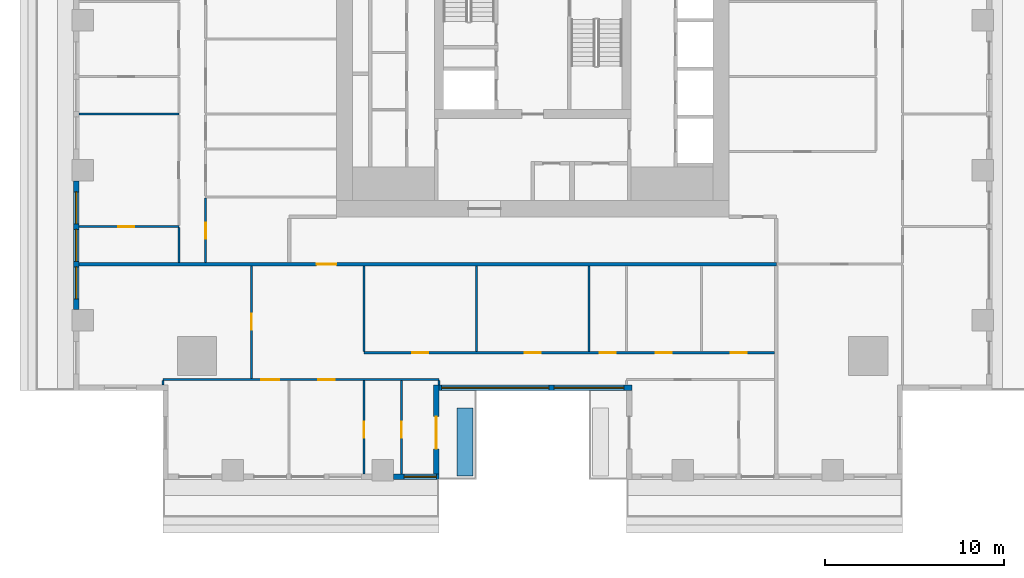
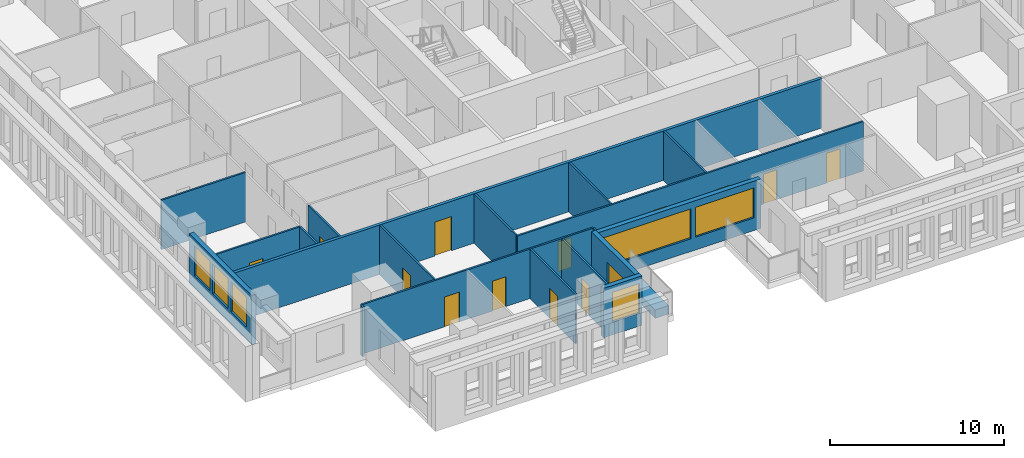
# One storey, part 2 of 15: 20 walls, 14 doors, 6 windows, 20 openings.
"""IFC4 building model written with IfcOpenShell, lengths in metres."""

from ifc_helpers import new_model, si_unit, direction, frame, frame_2d, origin, place, context, subcontext, project, spatial, rectangle, extrude, material, layer, layer_set, type_object, element, fill, save


model = new_model("IFC4")

# Units and contexts
model_context = context("Model", 3, precision=1e-05, world=origin(), true_north=direction((0.0, 1.0)))
body_context = subcontext(model_context, "Body", "Model", "MODEL_VIEW")
ifc_project = project(units=[si_unit("LENGTHUNIT", "METRE"), si_unit("AREAUNIT", "SQUARE_METRE"), si_unit("VOLUMEUNIT", "CUBIC_METRE"), si_unit("PLANEANGLEUNIT", "RADIAN"), si_unit("MASSUNIT", "GRAM", prefix="KILO")], contexts=[model_context])

# Site, building, storey
site_placement = place(None, origin())
site = spatial("IfcSite", under=ifc_project, at=site_placement, CompositionType="ELEMENT")
building_placement = place(site_placement, origin())
building = spatial("IfcBuilding", under=site, at=building_placement, Name="Khepri Terraces", CompositionType="ELEMENT")
storey_placement = place(building_placement, frame((0.0, 0.0, 248.39990234375)))
storey = spatial("IfcBuildingStorey", under=building, at=storey_placement, Name="L59", CompositionType="ELEMENT", Elevation=248.39990234375)

# Wall, opening, door
ifc_material_1 = material(Name="Fire-rated gypsum plasterboard partition, mineral wool")
ifc_layer_1 = layer(ifc_material_1, 0.199951171875, Name="Fire-rated gypsum plasterboard partition, mineral wool")
ifc_layer_set_1 = layer_set([ifc_layer_1], Name="Fire-rated gypsum plasterboard partition, mineral wool")
wall_type_1 = type_object("IfcWallType", Name="WL-CORR-200", PredefinedType="PARTITIONING", material=ifc_layer_set_1)
wall_1_placement = place(storey_placement, frame((-25.419921875, -13.64990234375, 0.0), z_axis=(0.0, 0.0, 1.0), x_axis=(1.0, 0.0, 0.0)))
wall_1 = element("IfcWall", 1, at=wall_1_placement, inside=storey, type_object=wall_type_1, Name="Partition P-019 L59", PredefinedType="PARTITIONING", context=body_context, shape_type="SweptSolid", body=[
    extrude(rectangle(XDim=39.06982421875, YDim=0.199951171875, at=frame_2d((19.534912109375, 0.0))), origin(), (0.0, 0.0, 1.0), 3.47998046875),
])
opening_1_placement = place(wall_1_placement, frame((13.320068359375, 0.0, 0.0)))
opening_1 = element("IfcOpeningElement", 2, at=opening_1_placement, cuts=wall_1, Name="Opening D1", PredefinedType="OPENING", context=body_context, shape_type="SweptSolid", body=[
    extrude(rectangle(XDim=1.10009765625, YDim=2.39990234375, at=frame_2d((0.550048828125, 1.199951171875))), frame((0.0, 0.10986328125, 0.0), z_axis=(0.0, -1.0, 0.0), x_axis=(1.0, 0.0, 0.0)), (0.0, 0.0, 1.0), 0.219970703125),
])
ifc_material_2 = material(Name="Solid-core timber door leaf, flat entrance door", Category="wood")
door_type_1 = type_object("IfcDoorType", Name="DR-ENT-1100", OperationType="NOTDEFINED", PredefinedType="DOOR", material=ifc_material_2)
door_1_placement = place(opening_1_placement, frame((1.10009765625, 0.0, 0.0), z_axis=(0.0, 0.0, 1.0), x_axis=(-1.0, 0.0, 0.0)))
door_1 = element("IfcDoor", 3, at=door_1_placement, inside=storey, type_object=door_type_1, Name="Flat A1 entrance door", OperationType="SINGLE_SWING_RIGHT", OverallHeight=2.39990234375, OverallWidth=1.10009765625, PredefinedType="DOOR", context=body_context, shape_type="SweptSolid", body=[
    extrude(rectangle(XDim=1.10009765625, YDim=2.39990234375, at=frame_2d((0.550048828125, 1.199951171875))), frame((0.0, 0.02490234375, 0.0), z_axis=(0.0, -1.0, 0.0), x_axis=(1.0, 0.0, 0.0)), (0.0, 0.0, 1.0), 0.050048828125),
])
fill(opening_1, door_1)

# Wall, openings, windows
ifc_material_3 = material(Name="Precast concrete C50/60 warm stone", Category="masonry")
ifc_layer_2 = layer(ifc_material_3, 0.300048828125, Name="Precast concrete C50/60 warm stone", Category="masonry")
ifc_layer_set_2 = layer_set([ifc_layer_2], Name="Precast concrete C50/60 warm stone")
wall_type_2 = type_object("IfcWallType", Name="WL-EXT-PRECAST-300", PredefinedType="STANDARD", material=ifc_layer_set_2)
wall_2_placement = place(storey_placement, frame((-25.570068359375, -9.0, 0.0), z_axis=(0.0, 0.0, 1.0), x_axis=(0.0, -1.0, 0.0)))
wall_2 = element("IfcWall", 4, at=wall_2_placement, inside=storey, type_object=wall_type_2, Name="External wall L59 W", PredefinedType="STANDARD", context=body_context, shape_type="SweptSolid", body=[
    extrude(rectangle(XDim=7.199951171875, YDim=0.300048828125, at=frame_2d((3.60009765625, 0.0))), origin(), (0.0, 0.0, 1.0), 3.47998046875),
])
opening_2_placement = place(wall_2_placement, frame((0.60009765625, 0.0, 0.89990234375)))
opening_2 = element("IfcOpeningElement", 5, at=opening_2_placement, cuts=wall_2, Name="Opening W1", PredefinedType="OPENING", context=body_context, shape_type="SweptSolid", body=[
    extrude(rectangle(XDim=1.800048828125, YDim=2.10009765625, at=frame_2d((0.89990234375, 1.050048828125))), frame((0.0, 0.16015625, 0.0), z_axis=(0.0, -1.0, 0.0), x_axis=(1.0, 0.0, 0.0)), (0.0, 0.0, 1.0), 0.320068359375),
])
opening_3_placement = place(wall_2_placement, frame((2.699951171875, 0.0, 0.89990234375)))
opening_3 = element("IfcOpeningElement", 6, at=opening_3_placement, cuts=wall_2, Name="Opening W1", PredefinedType="OPENING", context=body_context, shape_type="SweptSolid", body=[
    extrude(rectangle(XDim=1.800048828125, YDim=2.10009765625, at=frame_2d((0.89990234375, 1.050048828125))), frame((0.0, 0.16015625, 0.0), z_axis=(0.0, -1.0, 0.0), x_axis=(1.0, 0.0, 0.0)), (0.0, 0.0, 1.0), 0.320068359375),
])
opening_4_placement = place(wall_2_placement, frame((4.800048828125, 0.0, 0.89990234375)))
opening_4 = element("IfcOpeningElement", 7, at=opening_4_placement, cuts=wall_2, Name="Opening W1", PredefinedType="OPENING", context=body_context, shape_type="SweptSolid", body=[
    extrude(rectangle(XDim=1.800048828125, YDim=2.10009765625, at=frame_2d((0.89990234375, 1.050048828125))), frame((0.0, 0.16015625, 0.0), z_axis=(0.0, -1.0, 0.0), x_axis=(1.0, 0.0, 0.0)), (0.0, 0.0, 1.0), 0.320068359375),
])
ifc_material_4 = material(Name="Clear glass", Category="glass")
window_type_1 = type_object("IfcWindowType", Name="WIN-RES-1800x2100", PartitioningType="SINGLE_PANEL", PredefinedType="WINDOW", material=ifc_material_4)
window_1_placement = place(opening_2_placement, origin())
window_1 = element("IfcWindow", 8, at=window_1_placement, inside=storey, type_object=window_type_1, Name="Window L59 W", OverallHeight=2.10009765625, OverallWidth=1.800048828125, PartitioningType="SINGLE_PANEL", PredefinedType="WINDOW", context=body_context, shape_type="SweptSolid", body=[
    extrude(rectangle(XDim=1.800048828125, YDim=2.10009765625, at=frame_2d((0.89990234375, 1.050048828125))), frame((0.0, 0.030029296875, 0.0), z_axis=(0.0, -1.0, 0.0), x_axis=(1.0, 0.0, 0.0)), (0.0, 0.0, 1.0), 0.06005859375),
])
fill(opening_2, window_1)
window_2_placement = place(opening_3_placement, origin())
window_2 = element("IfcWindow", 9, at=window_2_placement, inside=storey, type_object=window_type_1, Name="Window L59 W", OverallHeight=2.10009765625, OverallWidth=1.800048828125, PartitioningType="SINGLE_PANEL", PredefinedType="WINDOW", context=body_context, shape_type="SweptSolid", body=[
    extrude(rectangle(XDim=1.800048828125, YDim=2.10009765625, at=frame_2d((0.89990234375, 1.050048828125))), frame((0.0, 0.030029296875, 0.0), z_axis=(0.0, -1.0, 0.0), x_axis=(1.0, 0.0, 0.0)), (0.0, 0.0, 1.0), 0.06005859375),
])
fill(opening_3, window_2)
window_3_placement = place(opening_4_placement, origin())
window_3 = element("IfcWindow", 10, at=window_3_placement, inside=storey, type_object=window_type_1, Name="Window L59 W", OverallHeight=2.10009765625, OverallWidth=1.800048828125, PartitioningType="SINGLE_PANEL", PredefinedType="WINDOW", context=body_context, shape_type="SweptSolid", body=[
    extrude(rectangle(XDim=1.800048828125, YDim=2.10009765625, at=frame_2d((0.89990234375, 1.050048828125))), frame((0.0, 0.030029296875, 0.0), z_axis=(0.0, -1.0, 0.0), x_axis=(1.0, 0.0, 0.0)), (0.0, 0.0, 1.0), 0.06005859375),
])
fill(opening_4, window_3)

# Wall, opening, window
wall_3_placement = place(storey_placement, frame((-7.800048828125, -25.570068359375, 0.0), z_axis=(0.0, 0.0, 1.0), x_axis=(1.0, 0.0, 0.0)))
wall_3 = element("IfcWall", 11, at=wall_3_placement, inside=storey, type_object=wall_type_2, Name="External wall L59 S", PredefinedType="STANDARD", context=body_context, shape_type="SweptSolid", body=[
    extrude(rectangle(XDim=2.550048828125, YDim=0.300048828125, at=frame_2d((1.27490234375, 0.0))), origin(), (0.0, 0.0, 1.0), 3.47998046875),
])
opening_5_placement = place(wall_3_placement, frame((0.60009765625, 0.0, 0.89990234375)))
opening_5 = element("IfcOpeningElement", 12, at=opening_5_placement, cuts=wall_3, Name="Opening W1", PredefinedType="OPENING", context=body_context, shape_type="SweptSolid", body=[
    extrude(rectangle(XDim=1.800048828125, YDim=2.10009765625, at=frame_2d((0.89990234375, 1.050048828125))), frame((0.0, 0.16015625, 0.0), z_axis=(0.0, -1.0, 0.0), x_axis=(1.0, 0.0, 0.0)), (0.0, 0.0, 1.0), 0.320068359375),
])
window_4_placement = place(opening_5_placement, origin())
window_4 = element("IfcWindow", 13, at=window_4_placement, inside=storey, type_object=window_type_1, Name="Window L59 S", OverallHeight=2.10009765625, OverallWidth=1.800048828125, PartitioningType="SINGLE_PANEL", PredefinedType="WINDOW", context=body_context, shape_type="SweptSolid", body=[
    extrude(rectangle(XDim=1.800048828125, YDim=2.10009765625, at=frame_2d((0.89990234375, 1.050048828125))), frame((0.0, 0.030029296875, 0.0), z_axis=(0.0, -1.0, 0.0), x_axis=(1.0, 0.0, 0.0)), (0.0, 0.0, 1.0), 0.06005859375),
])
fill(opening_5, window_4)

# Wall, opening, door
wall_4_placement = place(storey_placement, frame((-5.39990234375, -25.419921875, 0.0), z_axis=(0.0, 0.0, 1.0), x_axis=(0.0, 1.0, 0.0)))
wall_4 = element("IfcWall", 14, at=wall_4_placement, inside=storey, type_object=wall_type_2, Name="External wall L59 E", PredefinedType="STANDARD", context=body_context, shape_type="SweptSolid", body=[
    extrude(rectangle(XDim=5.0, YDim=0.300048828125, at=frame_2d((2.5, 0.0))), origin(), (0.0, 0.0, 1.0), 3.47998046875),
])
opening_6_placement = place(wall_4_placement, frame((1.419921875, 0.0, 0.0)))
opening_6 = element("IfcOpeningElement", 15, at=opening_6_placement, cuts=wall_4, Name="Opening ED-L59-19", PredefinedType="OPENING", context=body_context, shape_type="SweptSolid", body=[
    extrude(rectangle(XDim=1.800048828125, YDim=2.39990234375, at=frame_2d((0.89990234375, 1.199951171875))), frame((0.0, 0.16015625, 0.0), z_axis=(0.0, -1.0, 0.0), x_axis=(1.0, 0.0, 0.0)), (0.0, 0.0, 1.0), 0.320068359375),
])
ifc_material_5 = material(Name="Anodised aluminium bronze glazed door", Category="aluminium")
door_type_2 = type_object("IfcDoorType", Name="DR-BAL-SLIDE-1800x2400", OperationType="NOTDEFINED", PredefinedType="DOOR", material=ifc_material_5)
door_2_placement = place(opening_6_placement, origin())
door_2 = element("IfcDoor", 16, at=door_2_placement, inside=storey, type_object=door_type_2, Name="Balcony door L59 E", OperationType="SLIDING_TO_LEFT", OverallHeight=2.39990234375, OverallWidth=1.800048828125, PredefinedType="DOOR", context=body_context, shape_type="SweptSolid", body=[
    extrude(rectangle(XDim=1.800048828125, YDim=2.39990234375, at=frame_2d((0.89990234375, 1.199951171875))), frame((0.0, 0.02490234375, 0.0), z_axis=(0.0, -1.0, 0.0), x_axis=(1.0, 0.0, 0.0)), (0.0, 0.0, 1.0), 0.050048828125),
])
fill(opening_6, door_2)

# Wall, openings, windows
wall_5_placement = place(storey_placement, frame((-5.25, -20.570068359375, 0.0), z_axis=(0.0, 0.0, 1.0), x_axis=(1.0, 0.0, 0.0)))
wall_5 = element("IfcWall", 17, at=wall_5_placement, inside=storey, type_object=wall_type_2, Name="External wall L59 S", PredefinedType="STANDARD", context=body_context, shape_type="SweptSolid", body=[
    extrude(rectangle(XDim=10.800048828125, YDim=0.300048828125, at=frame_2d((5.39990234375, 0.0))), origin(), (0.0, 0.0, 1.0), 3.47998046875),
])
opening_7_placement = place(wall_5_placement, frame((0.14990234375, 0.0, 0.89990234375)))
opening_7 = element("IfcOpeningElement", 18, at=opening_7_placement, cuts=wall_5, Name="Opening W3", PredefinedType="OPENING", context=body_context, shape_type="SweptSolid", body=[
    extrude(rectangle(XDim=6.0, YDim=2.10009765625, at=frame_2d((3.0, 1.050048828125))), frame((0.0, 0.16015625, 0.0), z_axis=(0.0, -1.0, 0.0), x_axis=(1.0, 0.0, 0.0)), (0.0, 0.0, 1.0), 0.320068359375),
])
opening_8_placement = place(wall_5_placement, frame((6.449951171875, 0.0, 0.89990234375)))
opening_8 = element("IfcOpeningElement", 19, at=opening_8_placement, cuts=wall_5, Name="Opening W2", PredefinedType="OPENING", context=body_context, shape_type="SweptSolid", body=[
    extrude(rectangle(XDim=3.89990234375, YDim=2.10009765625, at=frame_2d((1.949951171875, 1.050048828125))), frame((0.0, 0.16015625, 0.0), z_axis=(0.0, -1.0, 0.0), x_axis=(1.0, 0.0, 0.0)), (0.0, 0.0, 1.0), 0.320068359375),
])
window_type_2 = type_object("IfcWindowType", Name="WIN-RES-3900x2100", PartitioningType="SINGLE_PANEL", PredefinedType="WINDOW", material=ifc_material_4)
window_5_placement = place(opening_8_placement, origin())
window_5 = element("IfcWindow", 20, at=window_5_placement, inside=storey, type_object=window_type_2, Name="Window L59 S", OverallHeight=2.10009765625, OverallWidth=3.89990234375, PartitioningType="SINGLE_PANEL", PredefinedType="WINDOW", context=body_context, shape_type="SweptSolid", body=[
    extrude(rectangle(XDim=3.89990234375, YDim=2.10009765625, at=frame_2d((1.949951171875, 1.050048828125))), frame((0.0, 0.030029296875, 0.0), z_axis=(0.0, -1.0, 0.0), x_axis=(1.0, 0.0, 0.0)), (0.0, 0.0, 1.0), 0.06005859375),
])
fill(opening_8, window_5)
window_type_3 = type_object("IfcWindowType", Name="WIN-RES-6000x2100", PartitioningType="SINGLE_PANEL", PredefinedType="WINDOW", material=ifc_material_4)
window_6_placement = place(opening_7_placement, origin())
window_6 = element("IfcWindow", 21, at=window_6_placement, inside=storey, type_object=window_type_3, Name="Window L59 S", OverallHeight=2.10009765625, OverallWidth=6.0, PartitioningType="SINGLE_PANEL", PredefinedType="WINDOW", context=body_context, shape_type="SweptSolid", body=[
    extrude(rectangle(XDim=6.0, YDim=2.10009765625, at=frame_2d((3.0, 1.050048828125))), frame((0.0, 0.030029296875, 0.0), z_axis=(0.0, -1.0, 0.0), x_axis=(1.0, 0.0, 0.0)), (0.0, 0.0, 1.0), 0.06005859375),
])
fill(opening_7, window_6)

# Wall, opening, door
ifc_material_6 = material(Name="Gypsum plasterboard partition")
ifc_layer_3 = layer(ifc_material_6, 0.1201171875, Name="Gypsum plasterboard partition")
ifc_layer_set_3 = layer_set([ifc_layer_3], Name="Gypsum plasterboard partition")
wall_type_3 = type_object("IfcWallType", Name="WL-PART-120", PredefinedType="PARTITIONING", material=ifc_layer_set_3)
wall_6_placement = place(storey_placement, frame((-9.449951171875, -25.419921875, 0.0), z_axis=(0.0, 0.0, 1.0), x_axis=(0.0, 1.0, 0.0)))
wall_6 = element("IfcWall", 22, at=wall_6_placement, inside=storey, type_object=wall_type_3, Name="Partition P-002 L59", PredefinedType="PARTITIONING", context=body_context, shape_type="SweptSolid", body=[
    extrude(rectangle(XDim=5.239990234375, YDim=0.1201171875, at=frame_2d((2.6201171875, 0.0))), origin(), (0.0, 0.0, 1.0), 3.47998046875),
])
opening_9_placement = place(wall_6_placement, frame((2.050048828125, 0.0, 0.0)))
opening_9 = element("IfcOpeningElement", 23, at=opening_9_placement, cuts=wall_6, Name="Opening D3", PredefinedType="OPENING", context=body_context, shape_type="SweptSolid", body=[
    extrude(rectangle(XDim=0.89990234375, YDim=2.10009765625, at=frame_2d((0.449951171875, 1.050048828125))), frame((0.0, 0.070068359375, 0.0), z_axis=(0.0, -1.0, 0.0), x_axis=(1.0, 0.0, 0.0)), (0.0, 0.0, 1.0), 0.14013671875),
])
ifc_material_7 = material(Name="Timber door leaf", Category="wood")
door_type_3 = type_object("IfcDoorType", Name="DR-INT-900", OperationType="NOTDEFINED", PredefinedType="DOOR", material=ifc_material_7)
door_3_placement = place(opening_9_placement, frame((0.89990234375, 0.0, 0.0), z_axis=(0.0, 0.0, 1.0), x_axis=(-1.0, 0.0, 0.0)))
door_3 = element("IfcDoor", 24, at=door_3_placement, inside=storey, type_object=door_type_3, Name="Door Dressing Room", OperationType="SINGLE_SWING_RIGHT", OverallHeight=2.10009765625, OverallWidth=0.89990234375, PredefinedType="DOOR", context=body_context, shape_type="SweptSolid", body=[
    extrude(rectangle(XDim=0.89990234375, YDim=2.10009765625, at=frame_2d((0.449951171875, 1.050048828125))), frame((0.0, 0.02490234375, 0.0), z_axis=(0.0, -1.0, 0.0), x_axis=(1.0, 0.0, 0.0)), (0.0, 0.0, 1.0), 0.050048828125),
])
fill(opening_9, door_3)

wall_7_placement = place(storey_placement, frame((-7.35009765625, -25.419921875, 0.0), z_axis=(0.0, 0.0, 1.0), x_axis=(0.0, 1.0, 0.0)))
wall_7 = element("IfcWall", 25, at=wall_7_placement, inside=storey, type_object=wall_type_3, Name="Partition P-003 L59", PredefinedType="PARTITIONING", context=body_context, shape_type="SweptSolid", body=[
    extrude(rectangle(XDim=5.239990234375, YDim=0.1201171875, at=frame_2d((2.6201171875, 0.0))), origin(), (0.0, 0.0, 1.0), 3.47998046875),
])
opening_10_placement = place(wall_7_placement, frame((2.050048828125, 0.0, 0.0)))
opening_10 = element("IfcOpeningElement", 26, at=opening_10_placement, cuts=wall_7, Name="Opening D4", PredefinedType="OPENING", context=body_context, shape_type="SweptSolid", body=[
    extrude(rectangle(XDim=0.89990234375, YDim=2.10009765625, at=frame_2d((0.449951171875, 1.050048828125))), frame((0.0, 0.070068359375, 0.0), z_axis=(0.0, -1.0, 0.0), x_axis=(1.0, 0.0, 0.0)), (0.0, 0.0, 1.0), 0.14013671875),
])
ifc_material_8 = material(Name="Timber door leaf, moisture resistant", Category="wood")
door_type_4 = type_object("IfcDoorType", Name="DR-WET-900", OperationType="NOTDEFINED", PredefinedType="DOOR", material=ifc_material_8)
door_4_placement = place(opening_10_placement, frame((0.89990234375, 0.0, 0.0), z_axis=(0.0, 0.0, 1.0), x_axis=(-1.0, 0.0, 0.0)))
door_4 = element("IfcDoor", 27, at=door_4_placement, inside=storey, type_object=door_type_4, Name="Door Bathroom", OperationType="SINGLE_SWING_RIGHT", OverallHeight=2.10009765625, OverallWidth=0.89990234375, PredefinedType="DOOR", context=body_context, shape_type="SweptSolid", body=[
    extrude(rectangle(XDim=0.89990234375, YDim=2.10009765625, at=frame_2d((0.449951171875, 1.050048828125))), frame((0.0, 0.02490234375, 0.0), z_axis=(0.0, -1.0, 0.0), x_axis=(1.0, 0.0, 0.0)), (0.0, 0.0, 1.0), 0.050048828125),
])
fill(opening_10, door_4)

# Walls
wall_8_placement = place(storey_placement, frame((-20.718994140625, -20.4208984375, 0.0), z_axis=(0.0, 0.0, 1.0), x_axis=(0.0, 1.0, 0.0)))
element("IfcWall", 28, at=wall_8_placement, inside=storey, type_object=wall_type_3, Name="Partition P-006 L59", PredefinedType="PARTITIONING", context=body_context, shape_type="SweptSolid", body=[
    extrude(rectangle(XDim=0.240966796875, YDim=0.1201171875, at=frame_2d((0.12060546875, 0.0))), origin(), (0.0, 0.0, 1.0), 3.47998046875),
])
wall_9_placement = place(storey_placement, frame((-5.25, -20.419921875, 0.0), z_axis=(0.0, 0.0, 1.0), x_axis=(0.0, 1.0, 0.0)))
element("IfcWall", 29, at=wall_9_placement, inside=storey, type_object=wall_type_3, Name="Partition P-007 L59", PredefinedType="PARTITIONING", context=body_context, shape_type="SweptSolid", body=[
    extrude(rectangle(XDim=0.239990234375, YDim=0.1201171875, at=frame_2d((0.1201171875, 0.0))), origin(), (0.0, 0.0, 1.0), 3.47998046875),
])

# Wall, openings, doors
wall_10_placement = place(storey_placement, frame((-20.718994140625, -20.1201171875, 0.0), z_axis=(0.0, 0.0, 1.0), x_axis=(1.0, 0.0, 0.0)))
wall_10 = element("IfcWall", 30, at=wall_10_placement, inside=storey, type_object=wall_type_3, Name="Partition P-010 L59", PredefinedType="PARTITIONING", context=body_context, shape_type="SweptSolid", body=[
    extrude(rectangle(XDim=15.468994140625, YDim=0.1201171875, at=frame_2d((7.734375, 0.0))), origin(), (0.0, 0.0, 1.0), 3.47998046875),
])
opening_11_placement = place(wall_10_placement, frame((5.51904296875, 0.0, 0.0)))
opening_11 = element("IfcOpeningElement", 31, at=opening_11_placement, cuts=wall_10, Name="Opening D2", PredefinedType="OPENING", context=body_context, shape_type="SweptSolid", body=[
    extrude(rectangle(XDim=1.0, YDim=2.10009765625, at=frame_2d((0.5, 1.050048828125))), frame((0.0, 0.070068359375, 0.0), z_axis=(0.0, -1.0, 0.0), x_axis=(1.0, 0.0, 0.0)), (0.0, 0.0, 1.0), 0.14013671875),
])
opening_12_placement = place(wall_10_placement, frame((8.718994140625, 0.0, 0.0)))
opening_12 = element("IfcOpeningElement", 32, at=opening_12_placement, cuts=wall_10, Name="Opening D3", PredefinedType="OPENING", context=body_context, shape_type="SweptSolid", body=[
    extrude(rectangle(XDim=0.89990234375, YDim=2.10009765625, at=frame_2d((0.449951171875, 1.050048828125))), frame((0.0, 0.070068359375, 0.0), z_axis=(0.0, -1.0, 0.0), x_axis=(1.0, 0.0, 0.0)), (0.0, 0.0, 1.0), 0.14013671875),
])
ifc_material_9 = material(Name="Timber door leaf, living room door", Category="wood")
door_type_5 = type_object("IfcDoorType", Name="DR-INT-1000", OperationType="NOTDEFINED", PredefinedType="DOOR", material=ifc_material_9)
door_5_placement = place(opening_11_placement, frame((1.0, 0.0, 0.0), z_axis=(0.0, 0.0, 1.0), x_axis=(-1.0, 0.0, 0.0)))
door_5 = element("IfcDoor", 33, at=door_5_placement, inside=storey, type_object=door_type_5, Name="Door Living Room", OperationType="SINGLE_SWING_RIGHT", OverallHeight=2.10009765625, OverallWidth=1.0, PredefinedType="DOOR", context=body_context, shape_type="SweptSolid", body=[
    extrude(rectangle(XDim=1.0, YDim=2.10009765625, at=frame_2d((0.5, 1.050048828125))), frame((0.0, 0.02490234375, 0.0), z_axis=(0.0, -1.0, 0.0), x_axis=(1.0, 0.0, 0.0)), (0.0, 0.0, 1.0), 0.050048828125),
])
fill(opening_11, door_5)
door_6_placement = place(opening_12_placement, frame((0.89990234375, 0.0, 0.0), z_axis=(0.0, 0.0, 1.0), x_axis=(-1.0, 0.0, 0.0)))
door_6 = element("IfcDoor", 34, at=door_6_placement, inside=storey, type_object=door_type_3, Name="Door Master Bedroom", OperationType="SINGLE_SWING_LEFT", OverallHeight=2.10009765625, OverallWidth=0.89990234375, PredefinedType="DOOR", context=body_context, shape_type="SweptSolid", body=[
    extrude(rectangle(XDim=0.89990234375, YDim=2.10009765625, at=frame_2d((0.449951171875, 1.050048828125))), frame((0.0, 0.02490234375, 0.0), z_axis=(0.0, -1.0, 0.0), x_axis=(1.0, 0.0, 0.0)), (0.0, 0.0, 1.0), 0.050048828125),
])
fill(opening_12, door_6)

# Wall, opening, door
wall_11_placement = place(storey_placement, frame((-15.75, -20.06005859375, 0.0), z_axis=(0.0, 0.0, 1.0), x_axis=(0.0, 1.0, 0.0)))
wall_11 = element("IfcWall", 35, at=wall_11_placement, inside=storey, type_object=wall_type_3, Name="Partition P-012 L59", PredefinedType="PARTITIONING", context=body_context, shape_type="SweptSolid", body=[
    extrude(rectangle(XDim=6.31005859375, YDim=0.1201171875, at=frame_2d((3.155029296875, 0.0))), origin(), (0.0, 0.0, 1.0), 3.47998046875),
])
opening_13_placement = place(wall_11_placement, frame((2.72509765625, 0.0, 0.0)))
opening_13 = element("IfcOpeningElement", 36, at=opening_13_placement, cuts=wall_11, Name="Opening D3", PredefinedType="OPENING", context=body_context, shape_type="SweptSolid", body=[
    extrude(rectangle(XDim=0.89990234375, YDim=2.10009765625, at=frame_2d((0.449951171875, 1.050048828125))), frame((0.0, 0.070068359375, 0.0), z_axis=(0.0, -1.0, 0.0), x_axis=(1.0, 0.0, 0.0)), (0.0, 0.0, 1.0), 0.14013671875),
])
door_7_placement = place(opening_13_placement, origin())
door_7 = element("IfcDoor", 37, at=door_7_placement, inside=storey, type_object=door_type_3, Name="Door Home Cinema", OperationType="SINGLE_SWING_RIGHT", OverallHeight=2.10009765625, OverallWidth=0.89990234375, PredefinedType="DOOR", context=body_context, shape_type="SweptSolid", body=[
    extrude(rectangle(XDim=0.89990234375, YDim=2.10009765625, at=frame_2d((0.449951171875, 1.050048828125))), frame((0.0, 0.02490234375, 0.0), z_axis=(0.0, -1.0, 0.0), x_axis=(1.0, 0.0, 0.0)), (0.0, 0.0, 1.0), 0.050048828125),
])
fill(opening_13, door_7)

# Wall, openings, doors
wall_12_placement = place(storey_placement, frame((-9.449951171875, -18.6201171875, 0.0), z_axis=(0.0, 0.0, 1.0), x_axis=(1.0, 0.0, 0.0)))
wall_12 = element("IfcWall", 38, at=wall_12_placement, inside=storey, type_object=wall_type_3, Name="Partition P-013 L59", PredefinedType="PARTITIONING", context=body_context, shape_type="SweptSolid", body=[
    extrude(rectangle(XDim=23.0, YDim=0.1201171875, at=frame_2d((11.5, 0.0))), origin(), (0.0, 0.0, 1.0), 3.47998046875),
])
opening_14_placement = place(wall_12_placement, frame((2.699951171875, 0.0, 0.0)))
opening_14 = element("IfcOpeningElement", 39, at=opening_14_placement, cuts=wall_12, Name="Opening D3", PredefinedType="OPENING", context=body_context, shape_type="SweptSolid", body=[
    extrude(rectangle(XDim=0.89990234375, YDim=2.10009765625, at=frame_2d((0.449951171875, 1.050048828125))), frame((0.0, 0.070068359375, 0.0), z_axis=(0.0, -1.0, 0.0), x_axis=(1.0, 0.0, 0.0)), (0.0, 0.0, 1.0), 0.14013671875),
])
opening_15_placement = place(wall_12_placement, frame((9.0, 0.0, 0.0)))
opening_15 = element("IfcOpeningElement", 40, at=opening_15_placement, cuts=wall_12, Name="Opening D3", PredefinedType="OPENING", context=body_context, shape_type="SweptSolid", body=[
    extrude(rectangle(XDim=0.89990234375, YDim=2.10009765625, at=frame_2d((0.449951171875, 1.050048828125))), frame((0.0, 0.070068359375, 0.0), z_axis=(0.0, -1.0, 0.0), x_axis=(1.0, 0.0, 0.0)), (0.0, 0.0, 1.0), 0.14013671875),
])
opening_16_placement = place(wall_12_placement, frame((13.199951171875, 0.0, 0.0)))
opening_16 = element("IfcOpeningElement", 41, at=opening_16_placement, cuts=wall_12, Name="Opening D4", PredefinedType="OPENING", context=body_context, shape_type="SweptSolid", body=[
    extrude(rectangle(XDim=0.89990234375, YDim=2.10009765625, at=frame_2d((0.449951171875, 1.050048828125))), frame((0.0, 0.070068359375, 0.0), z_axis=(0.0, -1.0, 0.0), x_axis=(1.0, 0.0, 0.0)), (0.0, 0.0, 1.0), 0.14013671875),
])
opening_17_placement = place(wall_12_placement, frame((16.35009765625, 0.0, 0.0)))
opening_17 = element("IfcOpeningElement", 42, at=opening_17_placement, cuts=wall_12, Name="Opening D4", PredefinedType="OPENING", context=body_context, shape_type="SweptSolid", body=[
    extrude(rectangle(XDim=0.89990234375, YDim=2.10009765625, at=frame_2d((0.449951171875, 1.050048828125))), frame((0.0, 0.070068359375, 0.0), z_axis=(0.0, -1.0, 0.0), x_axis=(1.0, 0.0, 0.0)), (0.0, 0.0, 1.0), 0.14013671875),
])
opening_18_placement = place(wall_12_placement, frame((20.550048828125, 0.0, 0.0)))
opening_18 = element("IfcOpeningElement", 43, at=opening_18_placement, cuts=wall_12, Name="Opening D3", PredefinedType="OPENING", context=body_context, shape_type="SweptSolid", body=[
    extrude(rectangle(XDim=0.89990234375, YDim=2.10009765625, at=frame_2d((0.449951171875, 1.050048828125))), frame((0.0, 0.070068359375, 0.0), z_axis=(0.0, -1.0, 0.0), x_axis=(1.0, 0.0, 0.0)), (0.0, 0.0, 1.0), 0.14013671875),
])
door_8_placement = place(opening_14_placement, origin())
door_8 = element("IfcDoor", 44, at=door_8_placement, inside=storey, type_object=door_type_3, Name="Door Kitchen", OperationType="SINGLE_SWING_LEFT", OverallHeight=2.10009765625, OverallWidth=0.89990234375, PredefinedType="DOOR", context=body_context, shape_type="SweptSolid", body=[
    extrude(rectangle(XDim=0.89990234375, YDim=2.10009765625, at=frame_2d((0.449951171875, 1.050048828125))), frame((0.0, 0.02490234375, 0.0), z_axis=(0.0, -1.0, 0.0), x_axis=(1.0, 0.0, 0.0)), (0.0, 0.0, 1.0), 0.050048828125),
])
fill(opening_14, door_8)
door_9_placement = place(opening_15_placement, origin())
door_9 = element("IfcDoor", 45, at=door_9_placement, inside=storey, type_object=door_type_3, Name="Door Staff Bedroom", OperationType="SINGLE_SWING_LEFT", OverallHeight=2.10009765625, OverallWidth=0.89990234375, PredefinedType="DOOR", context=body_context, shape_type="SweptSolid", body=[
    extrude(rectangle(XDim=0.89990234375, YDim=2.10009765625, at=frame_2d((0.449951171875, 1.050048828125))), frame((0.0, 0.02490234375, 0.0), z_axis=(0.0, -1.0, 0.0), x_axis=(1.0, 0.0, 0.0)), (0.0, 0.0, 1.0), 0.050048828125),
])
fill(opening_15, door_9)
door_10_placement = place(opening_18_placement, origin())
door_10 = element("IfcDoor", 46, at=door_10_placement, inside=storey, type_object=door_type_3, Name="Door Library", OperationType="SINGLE_SWING_RIGHT", OverallHeight=2.10009765625, OverallWidth=0.89990234375, PredefinedType="DOOR", context=body_context, shape_type="SweptSolid", body=[
    extrude(rectangle(XDim=0.89990234375, YDim=2.10009765625, at=frame_2d((0.449951171875, 1.050048828125))), frame((0.0, 0.02490234375, 0.0), z_axis=(0.0, -1.0, 0.0), x_axis=(1.0, 0.0, 0.0)), (0.0, 0.0, 1.0), 0.050048828125),
])
fill(opening_18, door_10)
door_11_placement = place(opening_16_placement, origin())
door_11 = element("IfcDoor", 47, at=door_11_placement, inside=storey, type_object=door_type_4, Name="Door Powder Room", OperationType="SINGLE_SWING_RIGHT", OverallHeight=2.10009765625, OverallWidth=0.89990234375, PredefinedType="DOOR", context=body_context, shape_type="SweptSolid", body=[
    extrude(rectangle(XDim=0.89990234375, YDim=2.10009765625, at=frame_2d((0.449951171875, 1.050048828125))), frame((0.0, 0.02490234375, 0.0), z_axis=(0.0, -1.0, 0.0), x_axis=(1.0, 0.0, 0.0)), (0.0, 0.0, 1.0), 0.050048828125),
])
fill(opening_16, door_11)
door_12_placement = place(opening_17_placement, origin())
door_12 = element("IfcDoor", 48, at=door_12_placement, inside=storey, type_object=door_type_4, Name="Door Guest Bathroom", OperationType="SINGLE_SWING_RIGHT", OverallHeight=2.10009765625, OverallWidth=0.89990234375, PredefinedType="DOOR", context=body_context, shape_type="SweptSolid", body=[
    extrude(rectangle(XDim=0.89990234375, YDim=2.10009765625, at=frame_2d((0.449951171875, 1.050048828125))), frame((0.0, 0.02490234375, 0.0), z_axis=(0.0, -1.0, 0.0), x_axis=(1.0, 0.0, 0.0)), (0.0, 0.0, 1.0), 0.050048828125),
])
fill(opening_17, door_12)

# Walls
for number, where, z_axis, x_axis, name in (
    (49, (-9.449951171875, -18.56005859375, 0.0), (0.0, 0.0, 1.0), (0.0, 1.0, 0.0), "Partition P-014 L59"),
    (50, (-3.14990234375, -18.56005859375, 0.0), (0.0, 0.0, 1.0), (0.0, 1.0, 0.0), "Partition P-015 L59"),
    (51, (3.14990234375, -18.56005859375, 0.0), (0.0, 0.0, 1.0), (0.0, 1.0, 0.0), "Partition P-016 L59"),
):
    element("IfcWall", number, at=place(storey_placement, frame(where, z_axis=z_axis, x_axis=x_axis)), inside=storey, type_object=wall_type_3, Name=name, PredefinedType="PARTITIONING", context=body_context, shape_type="SweptSolid", body=[
        extrude(rectangle(XDim=4.81005859375, YDim=0.1201171875, at=frame_2d((2.405029296875, 0.0))), origin(), (0.0, 0.0, 1.0), 3.47998046875),
    ])
wall_13_placement = place(storey_placement, frame((-19.820068359375, -13.550048828125, 0.0), z_axis=(0.0, 0.0, 1.0), x_axis=(0.0, 1.0, 0.0)))
element("IfcWall", 52, at=wall_13_placement, inside=storey, type_object=wall_type_3, Name="Partition P-022 L59", PredefinedType="PARTITIONING", context=body_context, shape_type="SweptSolid", body=[
    extrude(rectangle(XDim=1.93994140625, YDim=0.1201171875, at=frame_2d((0.969970703125, 0.0))), origin(), (0.0, 0.0, 1.0), 3.47998046875),
])

# Wall, opening, door
wall_14_placement = place(storey_placement, frame((-18.320068359375, -13.550048828125, 0.0), z_axis=(0.0, 0.0, 1.0), x_axis=(0.0, 1.0, 0.0)))
wall_14 = element("IfcWall", 53, at=wall_14_placement, inside=storey, type_object=wall_type_3, Name="Partition P-023 L59", PredefinedType="PARTITIONING", context=body_context, shape_type="SweptSolid", body=[
    extrude(rectangle(XDim=3.590087890625, YDim=0.1201171875, at=frame_2d((1.794921875, 0.0))), origin(), (0.0, 0.0, 1.0), 3.47998046875),
])
opening_19_placement = place(wall_14_placement, frame((1.324951171875, 0.0, 0.0)))
opening_19 = element("IfcOpeningElement", 54, at=opening_19_placement, cuts=wall_14, Name="Opening D3", PredefinedType="OPENING", context=body_context, shape_type="SweptSolid", body=[
    extrude(rectangle(XDim=0.89990234375, YDim=2.10009765625, at=frame_2d((0.449951171875, 1.050048828125))), frame((0.0, 0.070068359375, 0.0), z_axis=(0.0, -1.0, 0.0), x_axis=(1.0, 0.0, 0.0)), (0.0, 0.0, 1.0), 0.14013671875),
])
door_13_placement = place(opening_19_placement, frame((0.89990234375, 0.0, 0.0), z_axis=(0.0, 0.0, 1.0), x_axis=(-1.0, 0.0, 0.0)))
door_13 = element("IfcDoor", 55, at=door_13_placement, inside=storey, type_object=door_type_3, Name="Door Library", OperationType="SINGLE_SWING_RIGHT", OverallHeight=2.10009765625, OverallWidth=0.89990234375, PredefinedType="DOOR", context=body_context, shape_type="SweptSolid", body=[
    extrude(rectangle(XDim=0.89990234375, YDim=2.10009765625, at=frame_2d((0.449951171875, 1.050048828125))), frame((0.0, 0.02490234375, 0.0), z_axis=(0.0, -1.0, 0.0), x_axis=(1.0, 0.0, 0.0)), (0.0, 0.0, 1.0), 0.050048828125),
])
fill(opening_19, door_13)

wall_15_placement = place(storey_placement, frame((-25.419921875, -11.550048828125, 0.0), z_axis=(0.0, 0.0, 1.0), x_axis=(1.0, 0.0, 0.0)))
wall_15 = element("IfcWall", 56, at=wall_15_placement, inside=storey, type_object=wall_type_3, Name="Partition P-026 L59", PredefinedType="PARTITIONING", context=body_context, shape_type="SweptSolid", body=[
    extrude(rectangle(XDim=5.599853515625, YDim=0.1201171875, at=frame_2d((2.7998046875, 0.0))), origin(), (0.0, 0.0, 1.0), 3.47998046875),
])
opening_20_placement = place(wall_15_placement, frame((2.199951171875, 0.0, 0.0)))
opening_20 = element("IfcOpeningElement", 57, at=opening_20_placement, cuts=wall_15, Name="Opening D4", PredefinedType="OPENING", context=body_context, shape_type="SweptSolid", body=[
    extrude(rectangle(XDim=0.89990234375, YDim=2.10009765625, at=frame_2d((0.449951171875, 1.050048828125))), frame((0.0, 0.070068359375, 0.0), z_axis=(0.0, -1.0, 0.0), x_axis=(1.0, 0.0, 0.0)), (0.0, 0.0, 1.0), 0.14013671875),
])
door_14_placement = place(opening_20_placement, frame((0.89990234375, 0.0, 0.0), z_axis=(0.0, 0.0, 1.0), x_axis=(-1.0, 0.0, 0.0)))
door_14 = element("IfcDoor", 58, at=door_14_placement, inside=storey, type_object=door_type_4, Name="Door Bathroom", OperationType="SINGLE_SWING_RIGHT", OverallHeight=2.10009765625, OverallWidth=0.89990234375, PredefinedType="DOOR", context=body_context, shape_type="SweptSolid", body=[
    extrude(rectangle(XDim=0.89990234375, YDim=2.10009765625, at=frame_2d((0.449951171875, 1.050048828125))), frame((0.0, 0.02490234375, 0.0), z_axis=(0.0, -1.0, 0.0), x_axis=(1.0, 0.0, 0.0)), (0.0, 0.0, 1.0), 0.050048828125),
])
fill(opening_20, door_14)

# Walls
wall_16_placement = place(storey_placement, frame((-25.419921875, -5.25, 0.0), z_axis=(0.0, 0.0, 1.0), x_axis=(1.0, 0.0, 0.0)))
element("IfcWall", 59, at=wall_16_placement, inside=storey, type_object=wall_type_3, Name="Partition P-038 L59", PredefinedType="PARTITIONING", context=body_context, shape_type="SweptSolid", body=[
    extrude(rectangle(XDim=5.599853515625, YDim=0.1201171875, at=frame_2d((2.7998046875, 0.0))), origin(), (0.0, 0.0, 1.0), 3.47998046875),
])
ifc_layer_4 = layer(ifc_material_3, 0.89990234375, Name="Precast concrete C50/60 warm stone", Category="masonry")
ifc_layer_set_4 = layer_set([ifc_layer_4], Name="Precast concrete C50/60 warm stone")
wall_type_4 = type_object("IfcWallType", Name="WL-PLANTER-900", PredefinedType="MOVABLE", material=ifc_layer_set_4)
wall_17_placement = place(storey_placement, frame((-3.800048828125, -25.52001953125, 0.0), z_axis=(0.0, 0.0, 1.0), x_axis=(0.0, 1.0, 0.0)))
element("IfcWall", 60, at=wall_17_placement, inside=storey, type_object=wall_type_4, Name="Planter L59", PredefinedType="MOVABLE", context=body_context, shape_type="SweptSolid", body=[
    extrude(rectangle(XDim=3.800048828125, YDim=0.89990234375, at=frame_2d((1.89990234375, 0.0))), origin(), (0.0, 0.0, 1.0), 0.60009765625),
])

save(model, "model.ifc")
